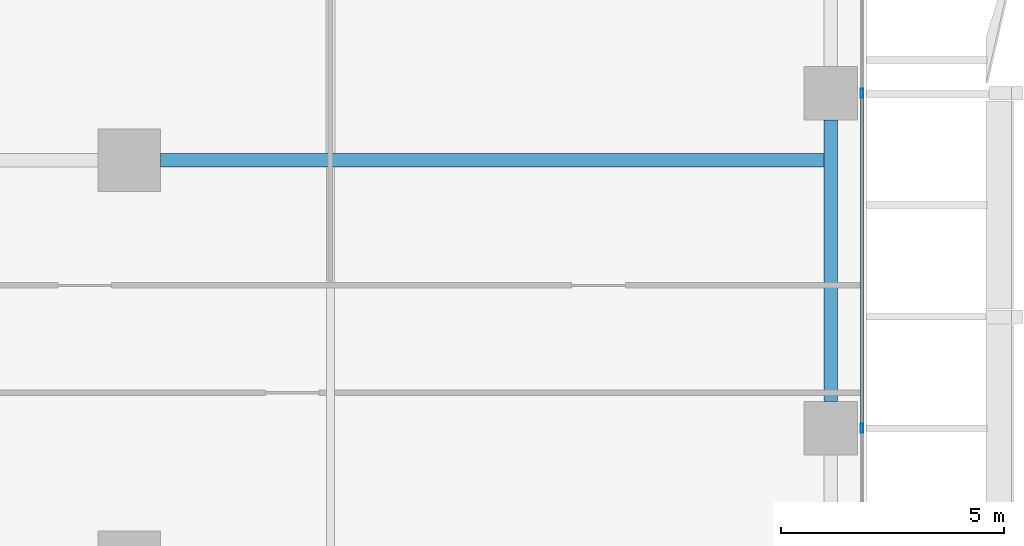
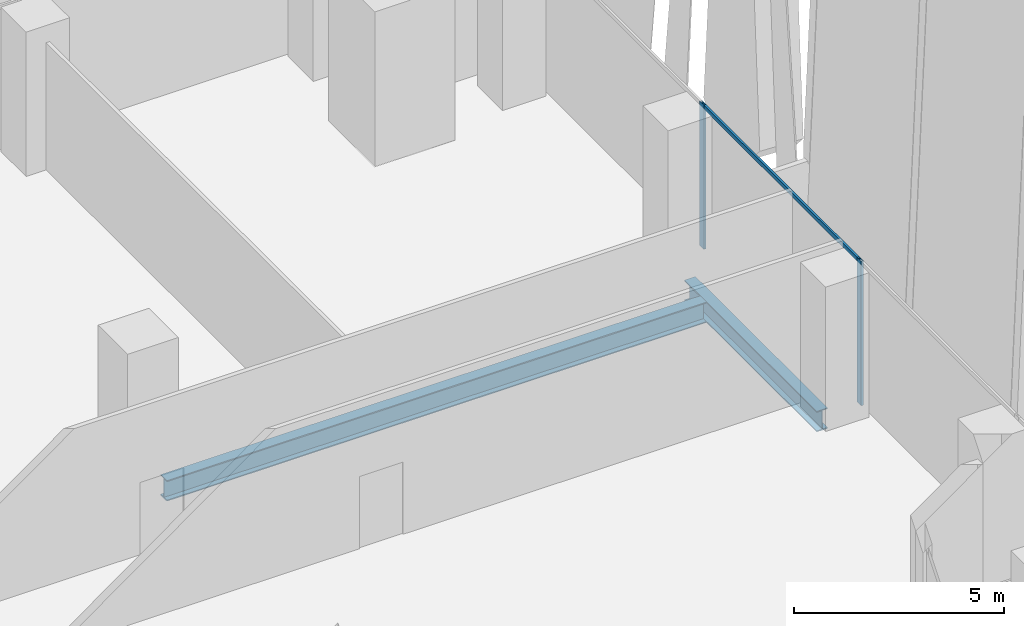
# One storey, part 16 of 34: 3 members, 2 beams, 1 element without a shape of its own.
"""IFC4 building model written with IfcOpenShell, lengths in metres."""

from ifc_helpers import new_model, si_unit, direction, frame, origin, origin_2d, place, context, subcontext, project, spatial, hollow_rectangle, i_section, extrude, source, transform, mapped, material, material_profile, profile_set, type_object, element, aggregate, save


model = new_model("IFC4")

# Units and contexts
model_context = context("Model", 3, precision=1e-05, world=origin(), true_north=direction((0.0, 1.0)))
body_context = subcontext(model_context, "Body", "Model", "MODEL_VIEW")
ifc_project = project(units=[si_unit("LENGTHUNIT", "METRE"), si_unit("AREAUNIT", "SQUARE_METRE"), si_unit("VOLUMEUNIT", "CUBIC_METRE"), si_unit("PLANEANGLEUNIT", "RADIAN"), si_unit("MASSUNIT", "GRAM", prefix="KILO")], contexts=[model_context])

# Site, building, storey
site_placement = place(None, origin())
site = spatial("IfcSite", under=ifc_project, at=site_placement, CompositionType="ELEMENT")
building_placement = place(site_placement, origin())
building = spatial("IfcBuilding", under=site, at=building_placement, Name="Khomas Fold Tower", CompositionType="ELEMENT")
storey_placement = place(building_placement, frame((0.0, 0.0, 73.5)))
storey = spatial("IfcBuildingStorey", under=building, at=storey_placement, Name="L15", CompositionType="ELEMENT", Elevation=73.5)

# Beams
ifc_material_1 = material(Name="Steel S355", Category="steel")
ifc_material_profile_1 = material_profile(ifc_material_1, i_section(OverallWidth=0.300048828125, OverallDepth=0.60009765625, WebThickness=0.015380859375, FlangeThickness=0.030029296875, at=origin_2d()), Name="HE 600 B")
ifc_profile_set_1 = profile_set([ifc_material_profile_1], Name="Steel S355")
beam_type_1 = type_object("IfcBeamType", Name="HE 600 B spandrel SB1", PredefinedType="SPANDREL", material=ifc_profile_set_1)
shared_shape_1 = source(origin(), body_context, "Body", "SweptSolid", [
    extrude(i_section(OverallWidth=0.300048828125, OverallDepth=0.60009765625, WebThickness=0.015380859375, FlangeThickness=0.030029296875, at=origin_2d()), origin(), (0.0, 0.0, 1.0), 6.2998046875),
])
beam_1_placement = place(storey_placement, frame((53.199951171875, 35.10009765625, -0.60009765625), z_axis=(0.0, 1.0, 0.0), x_axis=(-1.0, 0.0, 0.0)))
element("IfcBeam", 1, at=beam_1_placement, inside=storey, type_object=beam_type_1, Name="SB1", PredefinedType="SPANDREL", context=body_context, shape_type="MappedRepresentation", body=[
    mapped(shared_shape_1, transform((0.0, 0.0, 0.0))),
])
ifc_material_2 = material(Name="Steel S355", Category="steel")
ifc_material_profile_2 = material_profile(ifc_material_2, i_section(OverallWidth=0.300048828125, OverallDepth=0.60009765625, WebThickness=0.015380859375, FlangeThickness=0.030029296875, at=origin_2d()), Name="HE 600 B")
ifc_profile_set_2 = profile_set([ifc_material_profile_2], Name="Steel S355")
beam_type_2 = type_object("IfcBeamType", Name="HE 600 B beam GB5", PredefinedType="BEAM", material=ifc_profile_set_2)
shared_shape_2 = source(origin(), body_context, "Body", "SweptSolid", [
    extrude(i_section(OverallWidth=0.300048828125, OverallDepth=0.60009765625, WebThickness=0.015380859375, FlangeThickness=0.030029296875, at=origin_2d()), origin(), (0.0, 0.0, 1.0), 14.85009765625),
])
beam_2_placement = place(storey_placement, frame((38.199951171875, 40.5, -0.60009765625), z_axis=(1.0, 0.0, 0.0), x_axis=(0.0, 1.0, 0.0)))
element("IfcBeam", 2, at=beam_2_placement, inside=storey, type_object=beam_type_2, Name="GB5", PredefinedType="BEAM", context=body_context, shape_type="MappedRepresentation", body=[
    mapped(shared_shape_2, transform((0.0, 0.0, 0.0))),
])

# Curtain wall, members
ifc_material_3 = material(Name="Aluminium framed double glazing", Category="aluminium")
curtain_wall_type = type_object("IfcCurtainWallType", Name="SK-Unitised clear-glass wall, growing floors CW1", PredefinedType="NOTDEFINED", material=ifc_material_3)
curtain_wall_placement = place(storey_placement, origin())
curtain_wall = element("IfcCurtainWall", 3, at=curtain_wall_placement, inside=storey, type_object=curtain_wall_type, Name="CW1 run L15 03-1", PredefinedType="NOTDEFINED")
ifc_material_4 = material(Name="Aluminium", Category="aluminium")
ifc_material_profile_3 = material_profile(ifc_material_4, hollow_rectangle(XDim=0.06005859375, YDim=0.1201171875, WallThickness=0.00390625, at=origin_2d()), Name="SK-Unitised clear-glass wall, growing floors transom CW1-T")
ifc_profile_set_3 = profile_set([ifc_material_profile_3], Name="Aluminium")
member_type_1 = type_object("IfcMemberType", Name="SK-Unitised clear-glass wall, growing floors transom CW1-T", PredefinedType="USERDEFINED", material=ifc_profile_set_3)
shared_shape_3 = source(origin(), body_context, "Body", "SweptSolid", [
    extrude(hollow_rectangle(XDim=0.06005859375, YDim=0.1201171875, WallThickness=0.00390625, at=origin_2d()), origin(), (0.0, 0.0, 1.0), 7.43994140625),
])
member_1_placement = place(storey_placement, frame((53.89990234375, 34.530029296875, 4.139892578125), z_axis=(0.0, 1.0, 0.0), x_axis=(-1.0, 0.0, 0.0)))
member_1 = element("IfcMember", 4, at=member_1_placement, type_object=member_type_1, Name="CW1 transom 3", ObjectType="TRANSOM", PredefinedType="USERDEFINED", context=body_context, shape_type="MappedRepresentation", body=[
    mapped(shared_shape_3, transform((0.0, 0.0, 0.0))),
])
ifc_material_5 = material(Name="Aluminium", Category="aluminium")
ifc_material_profile_4 = material_profile(ifc_material_5, hollow_rectangle(XDim=0.06005859375, YDim=0.199951171875, WallThickness=0.00390625, at=origin_2d()), Name="SK-Unitised clear-glass wall, growing floors mullion CW1-M")
ifc_profile_set_4 = profile_set([ifc_material_profile_4], Name="Aluminium")
member_type_2 = type_object("IfcMemberType", Name="SK-Unitised clear-glass wall, growing floors mullion CW1-M", PredefinedType="MULLION", material=ifc_profile_set_4)
shared_shape_4 = source(origin(), body_context, "Body", "SweptSolid", [
    extrude(hollow_rectangle(XDim=0.06005859375, YDim=0.199951171875, WallThickness=0.00390625, at=origin_2d()), origin(), (0.0, 0.0, 1.0), 4.199951171875),
])
member_2_placement = place(storey_placement, frame((53.89990234375, 34.5, 0.0), z_axis=(0.0, 0.0, 1.0), x_axis=(-1.0, 0.0, 0.0)))
member_2 = element("IfcMember", 5, at=member_2_placement, type_object=member_type_2, Name="CW1 mullion 3", PredefinedType="MULLION", context=body_context, shape_type="MappedRepresentation", body=[
    mapped(shared_shape_4, transform((0.0, 0.0, 0.0))),
])
member_3_placement = place(storey_placement, frame((53.89990234375, 42.0, 0.0), z_axis=(0.0, 0.0, 1.0), x_axis=(-1.0, 0.0, 0.0)))
member_3 = element("IfcMember", 6, at=member_3_placement, type_object=member_type_2, Name="CW1 mullion 4", PredefinedType="MULLION", context=body_context, shape_type="MappedRepresentation", body=[
    mapped(shared_shape_4, transform((0.0, 0.0, 0.0))),
])
aggregate(curtain_wall, [member_2, member_3, member_1])

save(model, "model.ifc")
